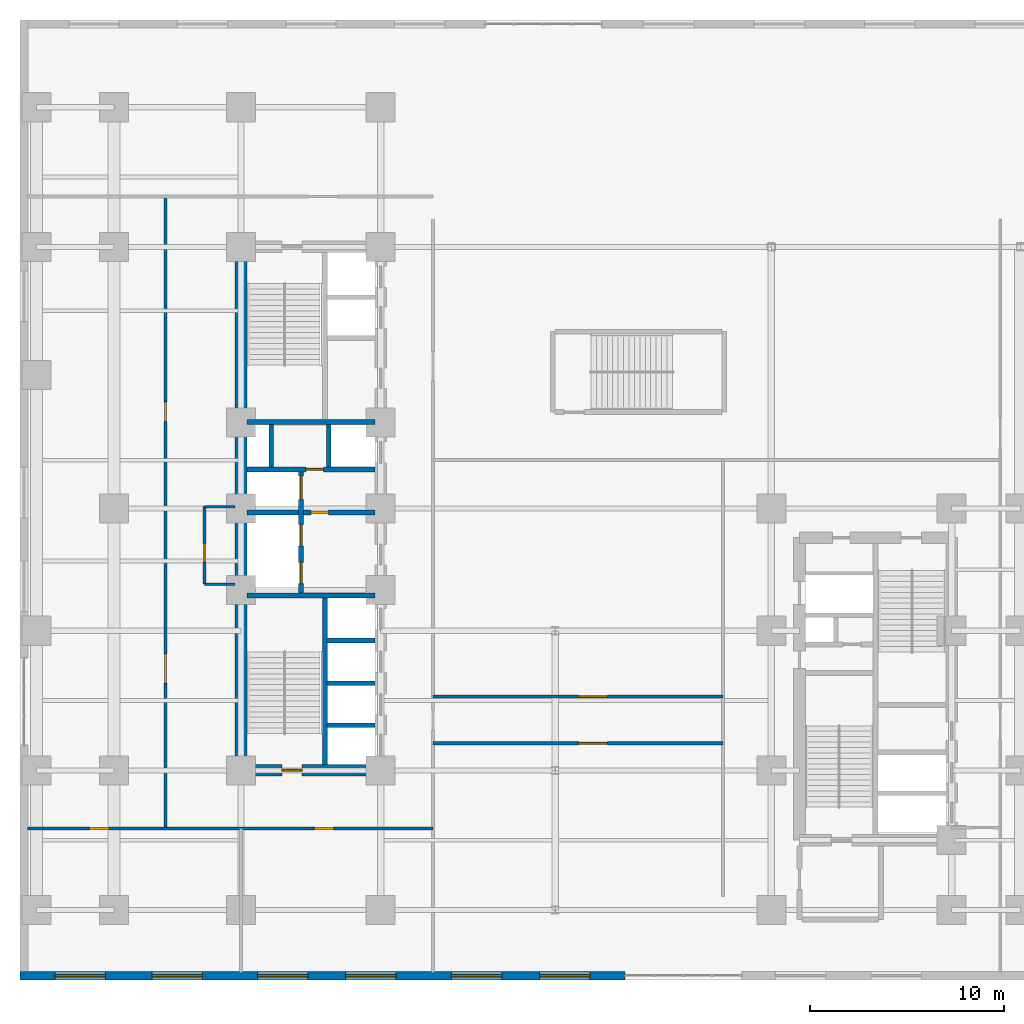
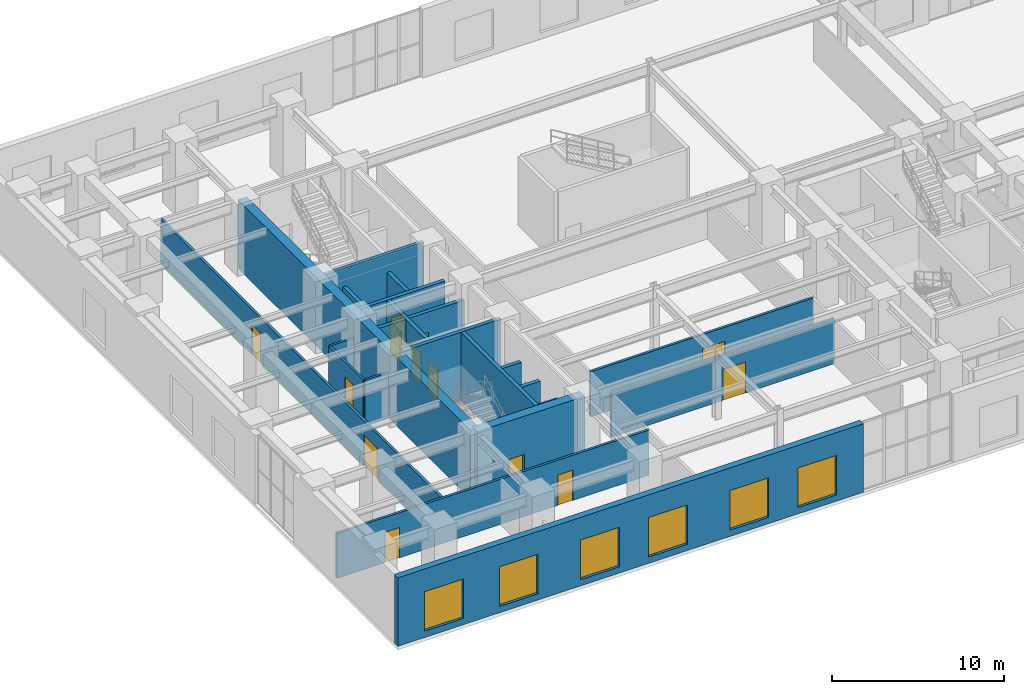
# One storey, part 17 of 23: 21 walls, 13 doors, 6 windows, 19 openings.
"""IFC4 building model written with IfcOpenShell, lengths in metres."""

from ifc_helpers import new_model, entity, si_unit, converted_unit, direction, frame, origin_with_axes, origin_2d_with_axis, place, context, subcontext, project, spatial, polyline, rectangle, outline, extrude, material, layer, layer_set, type_object, element, fill, save


model = new_model("IFC4")

# Units and contexts
model_context = context("Model", 3, precision=1e-05, world=origin_with_axes(), true_north=direction((0.0, 1.0)))
body_context = subcontext(model_context, "Body", "Model", "MODEL_VIEW")
ifc_project = project(units=[si_unit("LENGTHUNIT", "METRE"), si_unit("AREAUNIT", "SQUARE_METRE"), si_unit("VOLUMEUNIT", "CUBIC_METRE"), converted_unit("PLANEANGLEUNIT", "DEGREE", entity("IfcPlaneAngleMeasure", 0.017453292519943295), si_unit("PLANEANGLEUNIT", "RADIAN"), dimensions=[0, 0, 0, 0, 0, 0, 0]), si_unit("MASSUNIT", "GRAM", prefix="KILO"), si_unit("THERMODYNAMICTEMPERATUREUNIT", "KELVIN")], contexts=[model_context])

# Site, building, storey
site_placement = place(None, origin_with_axes())
site = spatial("IfcSite", under=ifc_project, at=site_placement, CompositionType="ELEMENT")
building_placement = place(site_placement, origin_with_axes())
building = spatial("IfcBuilding", under=site, at=building_placement, Name="Varnlund Millrace Tower", CompositionType="ELEMENT")
storey_placement = place(building_placement, frame((0.0, 0.0, 5.7), z_axis=(0.0, 0.0, 1.0), x_axis=(1.0, 0.0, 0.0)))
storey = spatial("IfcBuildingStorey", under=building, at=storey_placement, Name="L01", CompositionType="ELEMENT", Elevation=5.7)

# Wall
ifc_material_1 = material(Name="Concrete C80/95", Category="concrete")
ifc_layer_1 = layer(ifc_material_1, 0.6, Name="Concrete C80/95")
ifc_layer_set_1 = layer_set([ifc_layer_1], Name="Concrete C80/95")
wall_type_1 = type_object("IfcWallType", Name="Type-CoreWall-Shear-600-C80", PredefinedType="SHEAR", material=ifc_layer_set_1)
wall_1_placement = place(storey_placement, frame((11.4, 10.8, 0.0), z_axis=(0.0, 0.0, 1.0), x_axis=(0.0, 1.0, 0.0)))
element("IfcWall", 1, at=wall_1_placement, inside=storey, type_object=wall_type_1, Name="Type-CoreWall-Shear-600-C80", PredefinedType="SHEAR", context=body_context, shape_type="SweptSolid", body=[
    extrude(outline(polyline([(0.0, -0.3), (27.0, -0.3), (27.0, 0.3), (0.0, 0.3), (0.0, -0.3)])), origin_with_axes(), (0.0, 0.0, 1.0), 4.86),
])

# Wall, opening, door
wall_2_placement = place(storey_placement, frame((11.4, 10.8, 0.0), z_axis=(0.0, 0.0, 1.0), x_axis=(1.0, 0.0, 0.0)))
wall_2 = element("IfcWall", 2, at=wall_2_placement, inside=storey, type_object=wall_type_1, Name="Type-CoreWall-Shear-600-C80", PredefinedType="SHEAR", context=body_context, shape_type="SweptSolid", body=[
    extrude(outline(polyline([(0.0, -0.3), (7.2, -0.3), (7.2, 0.3), (0.0, 0.3), (0.0, -0.3)])), origin_with_axes(), (0.0, 0.0, 1.0), 4.86),
])
opening_1_placement = place(wall_2_placement, frame((2.625, 0.0, 0.0), z_axis=(0.0, 0.0, 1.0), x_axis=(1.0, 0.0, 0.0)))
opening_1 = element("IfcOpeningElement", 3, at=opening_1_placement, cuts=wall_2, Name="Opening L01:DR-STA1", PredefinedType="OPENING", context=body_context, shape_type="SweptSolid", body=[
    extrude(rectangle(XDim=1.05, YDim=0.62, at=origin_2d_with_axis()), origin_with_axes(), (0.0, 0.0, 1.0), 2.15),
])
ifc_material_2 = material(Name="Fire-rated hollow steel door", Category="steel")
door_type_1 = type_object("IfcDoorType", Name="Type-FireDoor-Stair-1050X2150", OperationType="NOTDEFINED", PredefinedType="DOOR", material=ifc_material_2)
door_1_placement = place(wall_2_placement, frame((2.625, 0.0, 0.0), z_axis=(0.0, 0.0, 1.0), x_axis=(1.0, 0.0, 0.0)))
door_1 = element("IfcDoor", 4, at=door_1_placement, inside=storey, type_object=door_type_1, Name="Type-FireDoor-Stair-1050X2150", OperationType="SINGLE_SWING_LEFT", OverallHeight=2.15, OverallWidth=1.05, PredefinedType="DOOR", context=body_context, shape_type="SweptSolid", body=[
    extrude(rectangle(XDim=1.05, YDim=0.09, at=origin_2d_with_axis()), origin_with_axes(), (0.0, 0.0, 1.0), 2.15),
])
fill(opening_1, door_1)

# Wall, openings, windows
ifc_material_3 = material(Name="Precast concrete C50/60", Category="concrete")
ifc_layer_2 = layer(ifc_material_3, 0.42, Name="Precast concrete C50/60")
ifc_layer_set_2 = layer_set([ifc_layer_2], Name="Precast concrete C50/60")
wall_type_2 = type_object("IfcWallType", Name="Type-ExtWall-Precast-Pier-420", PredefinedType="SOLIDWALL", material=ifc_layer_set_2)
wall_3_placement = place(storey_placement, frame((31.2, 0.21, 0.0), z_axis=(0.0, 0.0, 1.0), x_axis=(-1.0, 0.0, 0.0)))
wall_3 = element("IfcWall", 5, at=wall_3_placement, inside=storey, type_object=wall_type_2, Name="Type-ExtWall-Precast-Pier-420", PredefinedType="SOLIDWALL", context=body_context, shape_type="SweptSolid", body=[
    extrude(outline(polyline([(0.0, -0.21), (31.2, -0.21), (31.2, 0.21), (0.0, 0.21), (0.0, -0.21)])), origin_with_axes(), (0.0, 0.0, 1.0), 4.86),
])
opening_2_placement = place(wall_3_placement, frame((3.1, 0.0, 0.45), z_axis=(0.0, 0.0, 1.0), x_axis=(1.0, 0.0, 0.0)))
opening_2 = element("IfcOpeningElement", 6, at=opening_2_placement, cuts=wall_3, Name="Opening L01:WN-06", PredefinedType="OPENING", context=body_context, shape_type="SweptSolid", body=[
    extrude(rectangle(XDim=2.6, YDim=0.44, at=origin_2d_with_axis()), origin_with_axes(), (0.0, 0.0, 1.0), 2.8),
])
opening_3_placement = place(wall_3_placement, frame((7.65, 0.0, 0.45), z_axis=(0.0, 0.0, 1.0), x_axis=(1.0, 0.0, 0.0)))
opening_3 = element("IfcOpeningElement", 7, at=opening_3_placement, cuts=wall_3, Name="Opening L01:WN-07", PredefinedType="OPENING", context=body_context, shape_type="SweptSolid", body=[
    extrude(rectangle(XDim=2.6, YDim=0.44, at=origin_2d_with_axis()), origin_with_axes(), (0.0, 0.0, 1.0), 2.8),
])
opening_4_placement = place(wall_3_placement, frame((13.1, 0.0, 0.45), z_axis=(0.0, 0.0, 1.0), x_axis=(1.0, 0.0, 0.0)))
opening_4 = element("IfcOpeningElement", 8, at=opening_4_placement, cuts=wall_3, Name="Opening L01:WN-08", PredefinedType="OPENING", context=body_context, shape_type="SweptSolid", body=[
    extrude(rectangle(XDim=2.6, YDim=0.44, at=origin_2d_with_axis()), origin_with_axes(), (0.0, 0.0, 1.0), 2.8),
])
opening_5_placement = place(wall_3_placement, frame((17.65, 0.0, 0.45), z_axis=(0.0, 0.0, 1.0), x_axis=(1.0, 0.0, 0.0)))
opening_5 = element("IfcOpeningElement", 9, at=opening_5_placement, cuts=wall_3, Name="Opening L01:WN-09", PredefinedType="OPENING", context=body_context, shape_type="SweptSolid", body=[
    extrude(rectangle(XDim=2.6, YDim=0.44, at=origin_2d_with_axis()), origin_with_axes(), (0.0, 0.0, 1.0), 2.8),
])
opening_6_placement = place(wall_3_placement, frame((23.1, 0.0, 0.45), z_axis=(0.0, 0.0, 1.0), x_axis=(1.0, 0.0, 0.0)))
opening_6 = element("IfcOpeningElement", 10, at=opening_6_placement, cuts=wall_3, Name="Opening L01:WN-10", PredefinedType="OPENING", context=body_context, shape_type="SweptSolid", body=[
    extrude(rectangle(XDim=2.6, YDim=0.44, at=origin_2d_with_axis()), origin_with_axes(), (0.0, 0.0, 1.0), 2.8),
])
opening_7_placement = place(wall_3_placement, frame((28.1, 0.0, 0.45), z_axis=(0.0, 0.0, 1.0), x_axis=(1.0, 0.0, 0.0)))
opening_7 = element("IfcOpeningElement", 11, at=opening_7_placement, cuts=wall_3, Name="Opening L01:WN-11", PredefinedType="OPENING", context=body_context, shape_type="SweptSolid", body=[
    extrude(rectangle(XDim=2.6, YDim=0.44, at=origin_2d_with_axis()), origin_with_axes(), (0.0, 0.0, 1.0), 2.8),
])
ifc_material_4 = material(Name="Argon low-e triple glazing in thermally broken bronze frame", Category="glass")
window_type = type_object("IfcWindowType", Name="Type-Window-Podium-2600X2800", PartitioningType="SINGLE_PANEL", PredefinedType="WINDOW", material=ifc_material_4)
window_1_placement = place(wall_3_placement, frame((3.1, 0.0, 0.45), z_axis=(0.0, 0.0, 1.0), x_axis=(1.0, 0.0, 0.0)))
window_1 = element("IfcWindow", 12, at=window_1_placement, inside=storey, type_object=window_type, Name="Type-Window-Podium-2600X2800", OverallHeight=2.8, OverallWidth=2.6, PredefinedType="WINDOW", context=body_context, shape_type="SweptSolid", body=[
    extrude(rectangle(XDim=2.6, YDim=0.09, at=origin_2d_with_axis()), origin_with_axes(), (0.0, 0.0, 1.0), 2.8),
])
fill(opening_2, window_1)
window_2_placement = place(wall_3_placement, frame((7.65, 0.0, 0.45), z_axis=(0.0, 0.0, 1.0), x_axis=(1.0, 0.0, 0.0)))
window_2 = element("IfcWindow", 13, at=window_2_placement, inside=storey, type_object=window_type, Name="Type-Window-Podium-2600X2800", OverallHeight=2.8, OverallWidth=2.6, PredefinedType="WINDOW", context=body_context, shape_type="SweptSolid", body=[
    extrude(rectangle(XDim=2.6, YDim=0.09, at=origin_2d_with_axis()), origin_with_axes(), (0.0, 0.0, 1.0), 2.8),
])
fill(opening_3, window_2)
window_3_placement = place(wall_3_placement, frame((13.1, 0.0, 0.45), z_axis=(0.0, 0.0, 1.0), x_axis=(1.0, 0.0, 0.0)))
window_3 = element("IfcWindow", 14, at=window_3_placement, inside=storey, type_object=window_type, Name="Type-Window-Podium-2600X2800", OverallHeight=2.8, OverallWidth=2.6, PredefinedType="WINDOW", context=body_context, shape_type="SweptSolid", body=[
    extrude(rectangle(XDim=2.6, YDim=0.09, at=origin_2d_with_axis()), origin_with_axes(), (0.0, 0.0, 1.0), 2.8),
])
fill(opening_4, window_3)
window_4_placement = place(wall_3_placement, frame((17.65, 0.0, 0.45), z_axis=(0.0, 0.0, 1.0), x_axis=(1.0, 0.0, 0.0)))
window_4 = element("IfcWindow", 15, at=window_4_placement, inside=storey, type_object=window_type, Name="Type-Window-Podium-2600X2800", OverallHeight=2.8, OverallWidth=2.6, PredefinedType="WINDOW", context=body_context, shape_type="SweptSolid", body=[
    extrude(rectangle(XDim=2.6, YDim=0.09, at=origin_2d_with_axis()), origin_with_axes(), (0.0, 0.0, 1.0), 2.8),
])
fill(opening_5, window_4)
window_5_placement = place(wall_3_placement, frame((23.1, 0.0, 0.45), z_axis=(0.0, 0.0, 1.0), x_axis=(1.0, 0.0, 0.0)))
window_5 = element("IfcWindow", 16, at=window_5_placement, inside=storey, type_object=window_type, Name="Type-Window-Podium-2600X2800", OverallHeight=2.8, OverallWidth=2.6, PredefinedType="WINDOW", context=body_context, shape_type="SweptSolid", body=[
    extrude(rectangle(XDim=2.6, YDim=0.09, at=origin_2d_with_axis()), origin_with_axes(), (0.0, 0.0, 1.0), 2.8),
])
fill(opening_6, window_5)
window_6_placement = place(wall_3_placement, frame((28.1, 0.0, 0.45), z_axis=(0.0, 0.0, 1.0), x_axis=(1.0, 0.0, 0.0)))
window_6 = element("IfcWindow", 17, at=window_6_placement, inside=storey, type_object=window_type, Name="Type-Window-Podium-2600X2800", OverallHeight=2.8, OverallWidth=2.6, PredefinedType="WINDOW", context=body_context, shape_type="SweptSolid", body=[
    extrude(rectangle(XDim=2.6, YDim=0.09, at=origin_2d_with_axis()), origin_with_axes(), (0.0, 0.0, 1.0), 2.8),
])
fill(opening_7, window_6)

# Wall, openings, doors
ifc_material_5 = material(Name="Fire-rated gypsum board on cold-formed steel framing", Category="steel")
ifc_layer_3 = layer(ifc_material_5, 0.16, Name="Fire-rated gypsum board on cold-formed steel framing")
ifc_layer_set_3 = layer_set([ifc_layer_3], Name="Fire-rated gypsum board on cold-formed steel framing")
wall_type_3 = type_object("IfcWallType", Name="Type-Partition-Corridor-160", PredefinedType="PARTITIONING", material=ifc_layer_set_3)
wall_4_placement = place(storey_placement, frame((0.38, 7.8, 0.0), z_axis=(0.0, 0.0, 1.0), x_axis=(1.0, 0.0, 0.0)))
wall_4 = element("IfcWall", 18, at=wall_4_placement, inside=storey, type_object=wall_type_3, Name="Type-Partition-Corridor-160", PredefinedType="PARTITIONING", context=body_context, shape_type="SweptSolid", body=[
    extrude(outline(polyline([(0.0, -0.08), (20.92, -0.08), (20.92, 0.08), (0.0, 0.08), (0.0, -0.08)])), origin_with_axes(), (0.0, 0.0, 1.0), 3.2),
])
opening_8_placement = place(wall_4_placement, frame((3.7, 0.0, 0.0), z_axis=(0.0, 0.0, 1.0), x_axis=(1.0, 0.0, 0.0)))
opening_8 = element("IfcOpeningElement", 19, at=opening_8_placement, cuts=wall_4, Name="Opening L01:DR-POD-SW1", PredefinedType="OPENING", context=body_context, shape_type="SweptSolid", body=[
    extrude(rectangle(XDim=1.0, YDim=0.18, at=origin_2d_with_axis()), origin_with_axes(), (0.0, 0.0, 1.0), 2.15),
])
opening_9_placement = place(wall_4_placement, frame((15.3, 0.0, 0.0), z_axis=(0.0, 0.0, 1.0), x_axis=(1.0, 0.0, 0.0)))
opening_9 = element("IfcOpeningElement", 20, at=opening_9_placement, cuts=wall_4, Name="Opening L01:DR-POD-SW2", PredefinedType="OPENING", context=body_context, shape_type="SweptSolid", body=[
    extrude(rectangle(XDim=1.0, YDim=0.18, at=origin_2d_with_axis()), origin_with_axes(), (0.0, 0.0, 1.0), 2.15),
])
ifc_material_6 = material(Name="Solid-core white oak and bronze frame door")
door_type_2 = type_object("IfcDoorType", Name="Type-IntDoor-Office-1000X2150", OperationType="NOTDEFINED", PredefinedType="DOOR", material=ifc_material_6)
door_2_placement = place(wall_4_placement, frame((3.7, 0.0, 0.0), z_axis=(0.0, 0.0, 1.0), x_axis=(1.0, 0.0, 0.0)))
door_2 = element("IfcDoor", 21, at=door_2_placement, inside=storey, type_object=door_type_2, Name="Type-IntDoor-Office-1000X2150", OperationType="SINGLE_SWING_LEFT", OverallHeight=2.15, OverallWidth=1.0, PredefinedType="DOOR", context=body_context, shape_type="SweptSolid", body=[
    extrude(rectangle(XDim=1.0, YDim=0.09, at=origin_2d_with_axis()), origin_with_axes(), (0.0, 0.0, 1.0), 2.15),
])
fill(opening_8, door_2)
door_3_placement = place(wall_4_placement, frame((15.3, 0.0, 0.0), z_axis=(0.0, 0.0, 1.0), x_axis=(1.0, 0.0, 0.0)))
door_3 = element("IfcDoor", 22, at=door_3_placement, inside=storey, type_object=door_type_2, Name="Type-IntDoor-Office-1000X2150", OperationType="SINGLE_SWING_RIGHT", OverallHeight=2.15, OverallWidth=1.0, PredefinedType="DOOR", context=body_context, shape_type="SweptSolid", body=[
    extrude(rectangle(XDim=1.0, YDim=0.09, at=origin_2d_with_axis()), origin_with_axes(), (0.0, 0.0, 1.0), 2.15),
])
fill(opening_9, door_3)

wall_5_placement = place(storey_placement, frame((7.5, 7.8, 0.0), z_axis=(0.0, 0.0, 1.0), x_axis=(0.0, 1.0, 0.0)))
wall_5 = element("IfcWall", 23, at=wall_5_placement, inside=storey, type_object=wall_type_3, Name="Type-Partition-Corridor-160", PredefinedType="PARTITIONING", context=body_context, shape_type="SweptSolid", body=[
    extrude(outline(polyline([(0.0, -0.08), (32.6, -0.08), (32.6, 0.08), (0.0, 0.08), (0.0, -0.08)])), origin_with_axes(), (0.0, 0.0, 1.0), 3.2),
])
opening_10_placement = place(wall_5_placement, frame((8.25, 0.0, 0.0), z_axis=(0.0, 0.0, 1.0), x_axis=(1.0, 0.0, 0.0)))
opening_10 = element("IfcOpeningElement", 24, at=opening_10_placement, cuts=wall_5, Name="Opening L01:DR-POD-W1", PredefinedType="OPENING", context=body_context, shape_type="SweptSolid", body=[
    extrude(rectangle(XDim=1.5, YDim=0.18, at=origin_2d_with_axis()), origin_with_axes(), (0.0, 0.0, 1.0), 2.2),
])
opening_11_placement = place(wall_5_placement, frame((21.5, 0.0, 0.0), z_axis=(0.0, 0.0, 1.0), x_axis=(1.0, 0.0, 0.0)))
opening_11 = element("IfcOpeningElement", 25, at=opening_11_placement, cuts=wall_5, Name="Opening L01:DR-POD-W2", PredefinedType="OPENING", context=body_context, shape_type="SweptSolid", body=[
    extrude(rectangle(XDim=1.0, YDim=0.18, at=origin_2d_with_axis()), origin_with_axes(), (0.0, 0.0, 1.0), 2.15),
])
door_4_placement = place(wall_5_placement, frame((21.5, 0.0, 0.0), z_axis=(0.0, 0.0, 1.0), x_axis=(1.0, 0.0, 0.0)))
door_4 = element("IfcDoor", 26, at=door_4_placement, inside=storey, type_object=door_type_2, Name="Type-IntDoor-Office-1000X2150", OperationType="SINGLE_SWING_LEFT", OverallHeight=2.15, OverallWidth=1.0, PredefinedType="DOOR", context=body_context, shape_type="SweptSolid", body=[
    extrude(rectangle(XDim=1.0, YDim=0.09, at=origin_2d_with_axis()), origin_with_axes(), (0.0, 0.0, 1.0), 2.15),
])
fill(opening_11, door_4)
ifc_material_7 = material(Name="Architectural bronze and acoustic glass double door", Category="glass")
door_type_3 = type_object("IfcDoorType", Name="Type-IntDoor-SuitePair-1500X2200", OperationType="NOTDEFINED", PredefinedType="DOOR", material=ifc_material_7)
door_5_placement = place(wall_5_placement, frame((8.25, 0.0, 0.0), z_axis=(0.0, 0.0, 1.0), x_axis=(1.0, 0.0, 0.0)))
door_5 = element("IfcDoor", 27, at=door_5_placement, inside=storey, type_object=door_type_3, Name="Type-IntDoor-SuitePair-1500X2200", OperationType="DOUBLE_DOOR_SINGLE_SWING", OverallHeight=2.2, OverallWidth=1.5, PredefinedType="DOOR", context=body_context, shape_type="SweptSolid", body=[
    extrude(rectangle(XDim=1.5, YDim=0.09, at=origin_2d_with_axis()), origin_with_axes(), (0.0, 0.0, 1.0), 2.2),
])
fill(opening_10, door_5)

# Wall, opening, door
wall_6_placement = place(storey_placement, frame((21.3, 12.2, 0.0), z_axis=(0.0, 0.0, 1.0), x_axis=(1.0, 0.0, 0.0)))
wall_6 = element("IfcWall", 28, at=wall_6_placement, inside=storey, type_object=wall_type_3, Name="Type-Partition-Corridor-160", PredefinedType="PARTITIONING", context=body_context, shape_type="SweptSolid", body=[
    extrude(outline(polyline([(0.0, -0.08), (14.95, -0.08), (14.95, 0.08), (0.0, 0.08), (0.0, -0.08)])), origin_with_axes(), (0.0, 0.0, 1.0), 3.2),
])
opening_12_placement = place(wall_6_placement, frame((8.25, 0.0, 0.0), z_axis=(0.0, 0.0, 1.0), x_axis=(1.0, 0.0, 0.0)))
opening_12 = element("IfcOpeningElement", 29, at=opening_12_placement, cuts=wall_6, Name="Opening L01:DR-POD-E1S", PredefinedType="OPENING", context=body_context, shape_type="SweptSolid", body=[
    extrude(rectangle(XDim=1.5, YDim=0.18, at=origin_2d_with_axis()), origin_with_axes(), (0.0, 0.0, 1.0), 2.2),
])
door_6_placement = place(wall_6_placement, frame((8.25, 0.0, 0.0), z_axis=(0.0, 0.0, 1.0), x_axis=(1.0, 0.0, 0.0)))
door_6 = element("IfcDoor", 30, at=door_6_placement, inside=storey, type_object=door_type_3, Name="Type-IntDoor-SuitePair-1500X2200", OperationType="DOUBLE_DOOR_SINGLE_SWING", OverallHeight=2.2, OverallWidth=1.5, PredefinedType="DOOR", context=body_context, shape_type="SweptSolid", body=[
    extrude(rectangle(XDim=1.5, YDim=0.09, at=origin_2d_with_axis()), origin_with_axes(), (0.0, 0.0, 1.0), 2.2),
])
fill(opening_12, door_6)

wall_7_placement = place(storey_placement, frame((21.3, 14.6, 0.0), z_axis=(0.0, 0.0, 1.0), x_axis=(1.0, 0.0, 0.0)))
wall_7 = element("IfcWall", 31, at=wall_7_placement, inside=storey, type_object=wall_type_3, Name="Type-Partition-Corridor-160", PredefinedType="PARTITIONING", context=body_context, shape_type="SweptSolid", body=[
    extrude(outline(polyline([(0.0, -0.08), (14.95, -0.08), (14.95, 0.08), (0.0, 0.08), (0.0, -0.08)])), origin_with_axes(), (0.0, 0.0, 1.0), 3.2),
])
opening_13_placement = place(wall_7_placement, frame((8.25, 0.0, 0.0), z_axis=(0.0, 0.0, 1.0), x_axis=(1.0, 0.0, 0.0)))
opening_13 = element("IfcOpeningElement", 32, at=opening_13_placement, cuts=wall_7, Name="Opening L01:DR-POD-E1N", PredefinedType="OPENING", context=body_context, shape_type="SweptSolid", body=[
    extrude(rectangle(XDim=1.5, YDim=0.18, at=origin_2d_with_axis()), origin_with_axes(), (0.0, 0.0, 1.0), 2.2),
])
door_7_placement = place(wall_7_placement, frame((8.25, 0.0, 0.0), z_axis=(0.0, 0.0, 1.0), x_axis=(1.0, 0.0, 0.0)))
door_7 = element("IfcDoor", 33, at=door_7_placement, inside=storey, type_object=door_type_3, Name="Type-IntDoor-SuitePair-1500X2200", OperationType="DOUBLE_DOOR_SINGLE_SWING", OverallHeight=2.2, OverallWidth=1.5, PredefinedType="DOOR", context=body_context, shape_type="SweptSolid", body=[
    extrude(rectangle(XDim=1.5, YDim=0.09, at=origin_2d_with_axis()), origin_with_axes(), (0.0, 0.0, 1.0), 2.2),
])
fill(opening_13, door_7)

ifc_material_8 = material(Name="Moisture-resistant gypsum restroom partition", Category="gypsum")
ifc_layer_4 = layer(ifc_material_8, 0.14, Name="Moisture-resistant gypsum restroom partition")
ifc_layer_set_4 = layer_set([ifc_layer_4], Name="Moisture-resistant gypsum restroom partition")
wall_type_4 = type_object("IfcWallType", Name="Type-Partition-Wet-140", PredefinedType="PARTITIONING", material=ifc_layer_set_4)
wall_8_placement = place(storey_placement, frame((9.52, 20.4, 0.0), z_axis=(0.0, 0.0, 1.0), x_axis=(0.0, 1.0, 0.0)))
wall_8 = element("IfcWall", 34, at=wall_8_placement, inside=storey, type_object=wall_type_4, Name="Type-Partition-Wet-140", PredefinedType="PARTITIONING", context=body_context, shape_type="SweptSolid", body=[
    extrude(outline(polyline([(0.0, -0.07), (4.0, -0.07), (4.0, 0.07), (0.0, 0.07), (0.0, -0.07)])), origin_with_axes(), (0.0, 0.0, 1.0), 3.2),
])
opening_14_placement = place(wall_8_placement, frame((1.625, 0.0, 0.0), z_axis=(0.0, 0.0, 1.0), x_axis=(1.0, 0.0, 0.0)))
opening_14 = element("IfcOpeningElement", 35, at=opening_14_placement, cuts=wall_8, Name="Opening L01:DR-CA-WCW", PredefinedType="OPENING", context=body_context, shape_type="SweptSolid", body=[
    extrude(rectangle(XDim=0.95, YDim=0.16, at=origin_2d_with_axis()), origin_with_axes(), (0.0, 0.0, 1.0), 2.15),
])
ifc_material_9 = material(Name="Solid-core acoustic office door")
door_type_4 = type_object("IfcDoorType", Name="Type-IntDoor-Tenant-950X2150", OperationType="NOTDEFINED", PredefinedType="DOOR", material=ifc_material_9)
door_8_placement = place(wall_8_placement, frame((1.625, 0.0, 0.0), z_axis=(0.0, 0.0, 1.0), x_axis=(1.0, 0.0, 0.0)))
door_8 = element("IfcDoor", 36, at=door_8_placement, inside=storey, type_object=door_type_4, Name="Type-IntDoor-Tenant-950X2150", OperationType="SINGLE_SWING_LEFT", OverallHeight=2.15, OverallWidth=0.95, PredefinedType="DOOR", context=body_context, shape_type="SweptSolid", body=[
    extrude(rectangle(XDim=0.95, YDim=0.084, at=origin_2d_with_axis()), origin_with_axes(), (0.0, 0.0, 1.0), 2.15),
])
fill(opening_14, door_8)

# Walls
for number, where, z_axis, x_axis, name in (
    (37, (9.52, 20.4, 0.0), (0.0, 0.0, 1.0), (1.0, 0.0, 0.0), "Type-Partition-Wet-140"),
    (38, (9.52, 24.4, 0.0), (0.0, 0.0, 1.0), (1.0, 0.0, 0.0), "Type-Partition-Wet-140"),
):
    element("IfcWall", number, at=place(storey_placement, frame(where, z_axis=z_axis, x_axis=x_axis)), inside=storey, type_object=wall_type_4, Name=name, PredefinedType="PARTITIONING", context=body_context, shape_type="SweptSolid", body=[
        extrude(outline(polyline([(0.0, -0.07), (1.58, -0.07), (1.58, 0.07), (0.0, 0.07), (0.0, -0.07)])), origin_with_axes(), (0.0, 0.0, 1.0), 3.2),
    ])

# Wall, openings, doors
ifc_material_10 = material(Name="Concrete C60/75", Category="concrete")
ifc_layer_5 = layer(ifc_material_10, 0.25, Name="Concrete C60/75")
ifc_layer_set_5 = layer_set([ifc_layer_5], Name="Concrete C60/75")
wall_type_5 = type_object("IfcWallType", Name="Type-ShaftWall-Fire-250", PredefinedType="SOLIDWALL", material=ifc_layer_set_5)
wall_9_placement = place(storey_placement, frame((14.5, 19.95, 0.0), z_axis=(0.0, 0.0, 1.0), x_axis=(0.0, 1.0, 0.0)))
wall_9 = element("IfcWall", 39, at=wall_9_placement, inside=storey, type_object=wall_type_5, Name="Type-ShaftWall-Fire-250", PredefinedType="SOLIDWALL", context=body_context, shape_type="SweptSolid", body=[
    extrude(outline(polyline([(0.0, -0.125), (6.25, -0.125), (6.25, 0.125), (0.0, 0.125), (0.0, -0.125)])), origin_with_axes(), (0.0, 0.0, 1.0), 3.6),
])
opening_15_placement = place(wall_9_placement, frame((1.025, 0.0, 0.0), z_axis=(0.0, 0.0, 1.0), x_axis=(1.0, 0.0, 0.0)))
opening_15 = element("IfcOpeningElement", 40, at=opening_15_placement, cuts=wall_9, Name="Opening L01:LD-FSAE1", PredefinedType="OPENING", context=body_context, shape_type="SweptSolid", body=[
    extrude(rectangle(XDim=1.1, YDim=0.27, at=origin_2d_with_axis()), origin_with_axes(), (0.0, 0.0, 1.0), 2.15),
])
opening_16_placement = place(wall_9_placement, frame((2.975, 0.0, 0.0), z_axis=(0.0, 0.0, 1.0), x_axis=(1.0, 0.0, 0.0)))
opening_16 = element("IfcOpeningElement", 41, at=opening_16_placement, cuts=wall_9, Name="Opening L01:LD-FSAE2", PredefinedType="OPENING", context=body_context, shape_type="SweptSolid", body=[
    extrude(rectangle(XDim=1.1, YDim=0.27, at=origin_2d_with_axis()), origin_with_axes(), (0.0, 0.0, 1.0), 2.15),
])
opening_17_placement = place(wall_9_placement, frame((5.425, 0.0, 0.0), z_axis=(0.0, 0.0, 1.0), x_axis=(1.0, 0.0, 0.0)))
opening_17 = element("IfcOpeningElement", 42, at=opening_17_placement, cuts=wall_9, Name="Opening L01:LD-SRV1", PredefinedType="OPENING", context=body_context, shape_type="SweptSolid", body=[
    extrude(rectangle(XDim=1.2, YDim=0.27, at=origin_2d_with_axis()), origin_with_axes(), (0.0, 0.0, 1.0), 2.15),
])
ifc_material_11 = material(Name="Stainless and architectural bronze sliding landing door")
door_type_5 = type_object("IfcDoorType", Name="Type-LiftLandingDoor-1100X2150", OperationType="NOTDEFINED", PredefinedType="DOOR", material=ifc_material_11)
door_9_placement = place(wall_9_placement, frame((1.025, 0.0, 0.0), z_axis=(0.0, 0.0, 1.0), x_axis=(1.0, 0.0, 0.0)))
door_9 = element("IfcDoor", 43, at=door_9_placement, inside=storey, type_object=door_type_5, Name="Type-LiftLandingDoor-1100X2150", OperationType="SLIDING_TO_LEFT", OverallHeight=2.15, OverallWidth=1.1, PredefinedType="DOOR", context=body_context, shape_type="SweptSolid", body=[
    extrude(rectangle(XDim=1.1, YDim=0.09, at=origin_2d_with_axis()), origin_with_axes(), (0.0, 0.0, 1.0), 2.15),
])
fill(opening_15, door_9)
door_10_placement = place(wall_9_placement, frame((2.975, 0.0, 0.0), z_axis=(0.0, 0.0, 1.0), x_axis=(1.0, 0.0, 0.0)))
door_10 = element("IfcDoor", 44, at=door_10_placement, inside=storey, type_object=door_type_5, Name="Type-LiftLandingDoor-1100X2150", OperationType="SLIDING_TO_RIGHT", OverallHeight=2.15, OverallWidth=1.1, PredefinedType="DOOR", context=body_context, shape_type="SweptSolid", body=[
    extrude(rectangle(XDim=1.1, YDim=0.09, at=origin_2d_with_axis()), origin_with_axes(), (0.0, 0.0, 1.0), 2.15),
])
fill(opening_16, door_10)
ifc_material_12 = material(Name="Heavy-duty freight sliding landing door")
door_type_6 = type_object("IfcDoorType", Name="Type-LiftLandingDoor-Service-1200X2150", OperationType="NOTDEFINED", PredefinedType="DOOR", material=ifc_material_12)
door_11_placement = place(wall_9_placement, frame((5.425, 0.0, 0.0), z_axis=(0.0, 0.0, 1.0), x_axis=(1.0, 0.0, 0.0)))
door_11 = element("IfcDoor", 45, at=door_11_placement, inside=storey, type_object=door_type_6, Name="Type-LiftLandingDoor-Service-1200X2150", OperationType="DOUBLE_DOOR_SLIDING", OverallHeight=2.15, OverallWidth=1.2, PredefinedType="DOOR", context=body_context, shape_type="SweptSolid", body=[
    extrude(rectangle(XDim=1.2, YDim=0.09, at=origin_2d_with_axis()), origin_with_axes(), (0.0, 0.0, 1.0), 2.15),
])
fill(opening_17, door_11)

# Wall, opening, door
wall_10_placement = place(storey_placement, frame((11.7, 24.1, 0.0), z_axis=(0.0, 0.0, 1.0), x_axis=(1.0, 0.0, 0.0)))
wall_10 = element("IfcWall", 46, at=wall_10_placement, inside=storey, type_object=wall_type_5, Name="Type-ShaftWall-Fire-250", PredefinedType="SOLIDWALL", context=body_context, shape_type="SweptSolid", body=[
    extrude(outline(polyline([(0.0, -0.125), (6.6, -0.125), (6.6, 0.125), (0.0, 0.125), (0.0, -0.125)])), origin_with_axes(), (0.0, 0.0, 1.0), 3.6),
])
opening_18_placement = place(wall_10_placement, frame((3.75, 0.0, 0.0), z_axis=(0.0, 0.0, 1.0), x_axis=(1.0, 0.0, 0.0)))
opening_18 = element("IfcOpeningElement", 47, at=opening_18_placement, cuts=wall_10, Name="Opening L01:DR-CA-SRV1", PredefinedType="OPENING", context=body_context, shape_type="SweptSolid", body=[
    extrude(rectangle(XDim=0.9, YDim=0.27, at=origin_2d_with_axis()), origin_with_axes(), (0.0, 0.0, 1.0), 2.15),
])
ifc_material_13 = material(Name="Fire-rated hollow steel service closet door", Category="steel")
door_type_7 = type_object("IfcDoorType", Name="Type-FireDoor-Closet-900X2150", OperationType="NOTDEFINED", PredefinedType="DOOR", material=ifc_material_13)
door_12_placement = place(wall_10_placement, frame((3.75, 0.0, 0.0), z_axis=(0.0, 0.0, 1.0), x_axis=(1.0, 0.0, 0.0)))
door_12 = element("IfcDoor", 48, at=door_12_placement, inside=storey, type_object=door_type_7, Name="Type-FireDoor-Closet-900X2150", OperationType="SINGLE_SWING_LEFT", OverallHeight=2.15, OverallWidth=0.9, PredefinedType="DOOR", context=body_context, shape_type="SweptSolid", body=[
    extrude(rectangle(XDim=0.9, YDim=0.09, at=origin_2d_with_axis()), origin_with_axes(), (0.0, 0.0, 1.0), 2.15),
])
fill(opening_18, door_12)

wall_11_placement = place(storey_placement, frame((11.7, 26.325, 0.0), z_axis=(0.0, 0.0, 1.0), x_axis=(1.0, 0.0, 0.0)))
wall_11 = element("IfcWall", 49, at=wall_11_placement, inside=storey, type_object=wall_type_5, Name="Type-ShaftWall-Fire-250", PredefinedType="SOLIDWALL", context=body_context, shape_type="SweptSolid", body=[
    extrude(outline(polyline([(0.0, -0.125), (6.6, -0.125), (6.6, 0.125), (0.0, 0.125), (0.0, -0.125)])), origin_with_axes(), (0.0, 0.0, 1.0), 3.6),
])
opening_19_placement = place(wall_11_placement, frame((3.5, 0.0, 0.0), z_axis=(0.0, 0.0, 1.0), x_axis=(1.0, 0.0, 0.0)))
opening_19 = element("IfcOpeningElement", 50, at=opening_19_placement, cuts=wall_11, Name="Opening L01:DR-CA-ELC", PredefinedType="OPENING", context=body_context, shape_type="SweptSolid", body=[
    extrude(rectangle(XDim=0.9, YDim=0.27, at=origin_2d_with_axis()), origin_with_axes(), (0.0, 0.0, 1.0), 2.15),
])
door_13_placement = place(wall_11_placement, frame((3.5, 0.0, 0.0), z_axis=(0.0, 0.0, 1.0), x_axis=(1.0, 0.0, 0.0)))
door_13 = element("IfcDoor", 51, at=door_13_placement, inside=storey, type_object=door_type_7, Name="Type-FireDoor-Closet-900X2150", OperationType="SINGLE_SWING_LEFT", OverallHeight=2.15, OverallWidth=0.9, PredefinedType="DOOR", context=body_context, shape_type="SweptSolid", body=[
    extrude(rectangle(XDim=0.9, YDim=0.09, at=origin_2d_with_axis()), origin_with_axes(), (0.0, 0.0, 1.0), 2.15),
])
fill(opening_19, door_13)

# Walls
for number, where, z_axis, x_axis, name in (
    (52, (12.96, 26.45, 0.0), (0.0, 0.0, 1.0), (0.0, 1.0, 0.0), "Type-ShaftWall-Fire-250"),
    (53, (15.925, 26.45, 0.0), (0.0, 0.0, 1.0), (0.0, 1.0, 0.0), "Type-ShaftWall-Fire-250"),
):
    element("IfcWall", number, at=place(storey_placement, frame(where, z_axis=z_axis, x_axis=x_axis)), inside=storey, type_object=wall_type_5, Name=name, PredefinedType="SOLIDWALL", context=body_context, shape_type="SweptSolid", body=[
        extrude(outline(polyline([(0.0, -0.125), (2.2, -0.125), (2.2, 0.125), (0.0, 0.125), (0.0, -0.125)])), origin_with_axes(), (0.0, 0.0, 1.0), 3.6),
    ])
for number, where, z_axis, x_axis, name in (
    (54, (15.84, 13.13, 0.0), (0.0, 0.0, 1.0), (1.0, 0.0, 0.0), "Type-ShaftWall-Fire-250"),
    (55, (15.84, 15.29, 0.0), (0.0, 0.0, 1.0), (1.0, 0.0, 0.0), "Type-ShaftWall-Fire-250"),
    (56, (15.84, 17.49, 0.0), (0.0, 0.0, 1.0), (1.0, 0.0, 0.0), "Type-ShaftWall-Fire-250"),
):
    element("IfcWall", number, at=place(storey_placement, frame(where, z_axis=z_axis, x_axis=x_axis)), inside=storey, type_object=wall_type_5, Name=name, PredefinedType="SOLIDWALL", context=body_context, shape_type="SweptSolid", body=[
        extrude(outline(polyline([(0.0, -0.125), (2.46, -0.125), (2.46, 0.125), (0.0, 0.125), (0.0, -0.125)])), origin_with_axes(), (0.0, 0.0, 1.0), 3.2),
    ])
wall_type_6 = type_object("IfcWallType", Name="Type-StairWall-Shear-250", PredefinedType="SHEAR", material=ifc_layer_set_5)
wall_12_placement = place(storey_placement, frame((15.725, 11.1, 0.0), z_axis=(0.0, 0.0, 1.0), x_axis=(0.0, 1.0, 0.0)))
element("IfcWall", 57, at=wall_12_placement, inside=storey, type_object=wall_type_6, Name="Type-StairWall-Shear-250", PredefinedType="SHEAR", context=body_context, shape_type="SweptSolid", body=[
    extrude(outline(polyline([(0.0, -0.125), (8.6, -0.125), (8.6, 0.125), (0.0, 0.125), (0.0, -0.125)])), origin_with_axes(), (0.0, 0.0, 1.0), 4.86),
])
for number, where, z_axis, x_axis, name in (
    (58, (11.7, 19.825, 0.0), (0.0, 0.0, 1.0), (1.0, 0.0, 0.0), "Type-StairWall-Shear-250"),
    (59, (11.7, 28.775, 0.0), (0.0, 0.0, 1.0), (1.0, 0.0, 0.0), "Type-StairWall-Shear-250"),
):
    element("IfcWall", number, at=place(storey_placement, frame(where, z_axis=z_axis, x_axis=x_axis)), inside=storey, type_object=wall_type_6, Name=name, PredefinedType="SHEAR", context=body_context, shape_type="SweptSolid", body=[
        extrude(outline(polyline([(0.0, -0.125), (6.6, -0.125), (6.6, 0.125), (0.0, 0.125), (0.0, -0.125)])), origin_with_axes(), (0.0, 0.0, 1.0), 4.86),
    ])

save(model, "model.ifc")
